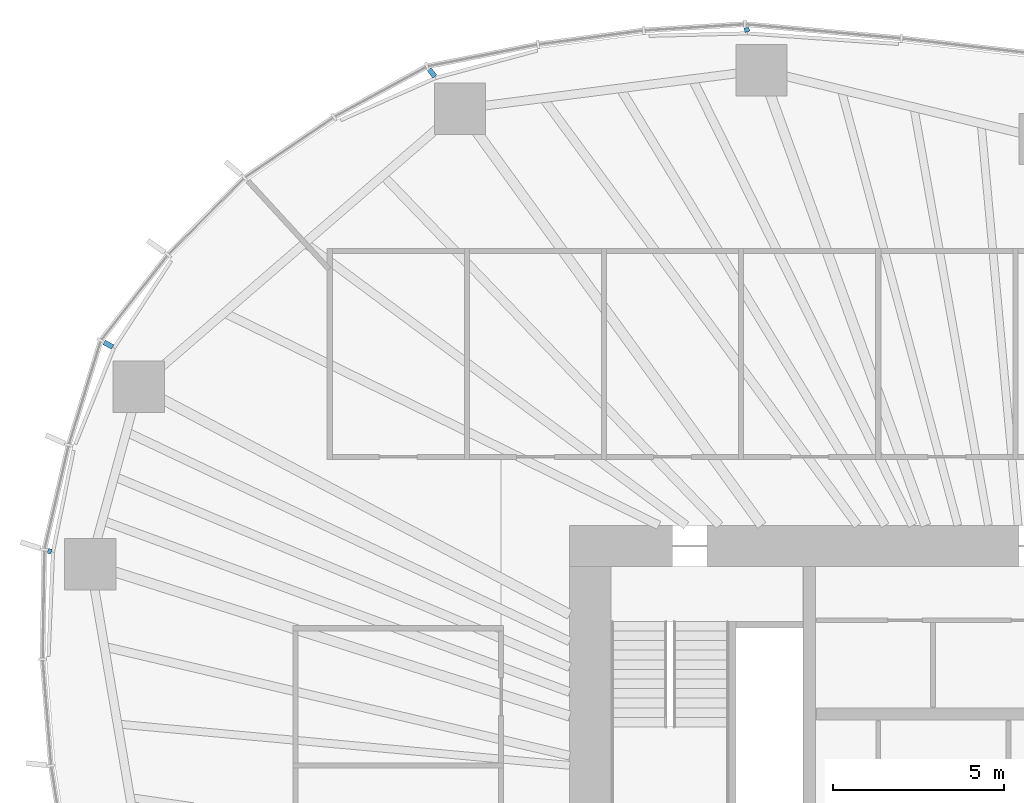
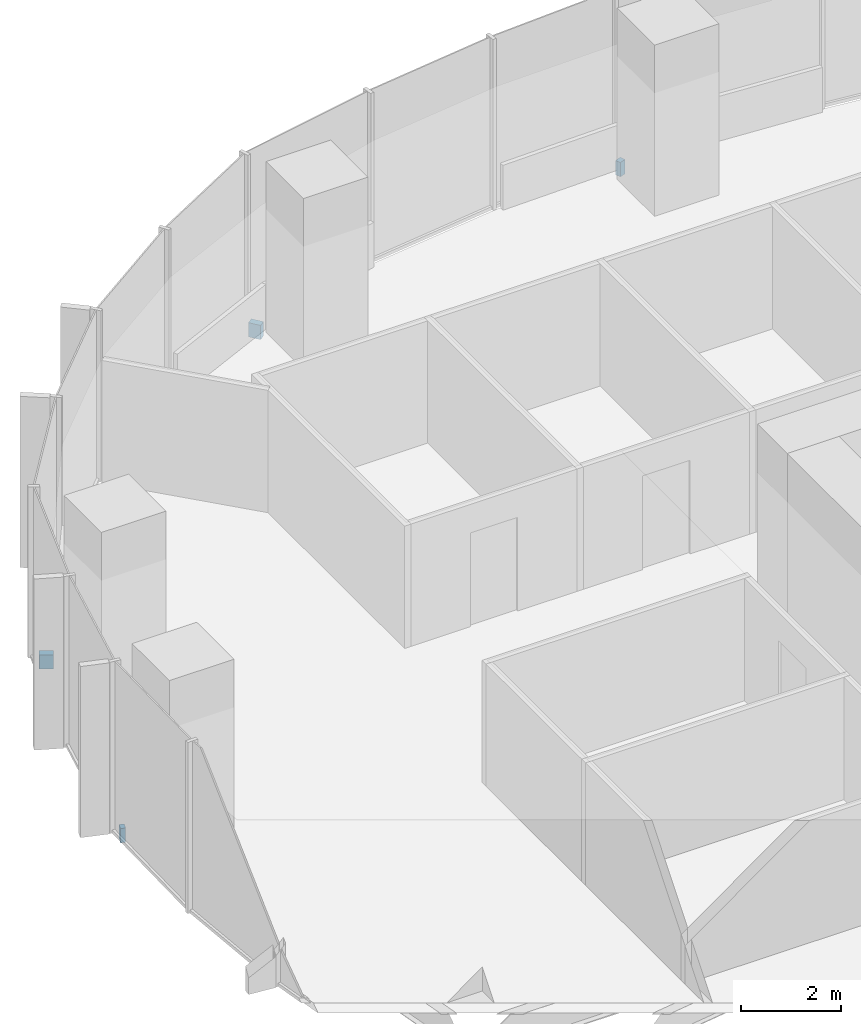
# One storey, part 15 of 18: 4 discrete accessories.
"""IFC4 building model written with IfcOpenShell, lengths in metres."""

from ifc_helpers import new_model, si_unit, direction, frame, origin, origin_2d, place, context, subcontext, project, spatial, rectangle, extrude, material, type_object, element, save


model = new_model("IFC4")

# Units and contexts
model_context = context("Model", 3, precision=1e-05, world=origin(), true_north=direction((0.0, 1.0)))
body_context = subcontext(model_context, "Body", "Model", "MODEL_VIEW")
ifc_project = project(units=[si_unit("LENGTHUNIT", "METRE"), si_unit("AREAUNIT", "SQUARE_METRE"), si_unit("VOLUMEUNIT", "CUBIC_METRE"), si_unit("PLANEANGLEUNIT", "RADIAN"), si_unit("MASSUNIT", "GRAM", prefix="KILO")], contexts=[model_context])

# Site, building, storey
site_placement = place(None, origin())
site = spatial("IfcSite", under=ifc_project, at=site_placement, CompositionType="ELEMENT")
building_placement = place(site_placement, origin())
building = spatial("IfcBuilding", under=site, at=building_placement, Name="Ghaith Harvest Tower", CompositionType="ELEMENT")
storey_placement = place(building_placement, frame((0.0, 0.0, 113.39990234375)))
storey = spatial("IfcBuildingStorey", under=building, at=storey_placement, Name="L23", CompositionType="ELEMENT", Elevation=113.39990234375)

# Discrete accessories
ifc_material_1 = material(Name="Stainless steel grade 1.4401", Category="steel")
discrete_accessory_type_1 = type_object("IfcDiscreteAccessoryType", Name="CURTAIN WALL BRACKET 105", PredefinedType="BRACKET", material=ifc_material_1)
discrete_accessory_1_placement = place(storey_placement, frame((-29.171875, 9.2451171875, -0.25), z_axis=(0.0, 0.0, 1.0), x_axis=(-0.953273219358, 0.302109531884, 0.0)))
element("IfcDiscreteAccessory", 1, at=discrete_accessory_1_placement, inside=storey, type_object=discrete_accessory_type_1, Name="CW-L bracket 1 bay 10 L23", PredefinedType="BRACKET", context=body_context, shape_type="SweptSolid", body=[
    extrude(rectangle(XDim=0.10498046875, YDim=0.14990234375, at=origin_2d()), origin(), (0.0, 0.0, 1.0), 0.35009765625),
])
ifc_material_2 = material(Name="Stainless steel grade 1.4401", Category="steel")
discrete_accessory_type_2 = type_object("IfcDiscreteAccessoryType", Name="CURTAIN WALL BRACKET 125", PredefinedType="BRACKET", material=ifc_material_2)
discrete_accessory_2_placement = place(storey_placement, frame((-8.833984375, 24.45849609375, -0.25), z_axis=(0.0, 0.0, 1.0), x_axis=(-0.339699453402, 0.94053404051, 0.0)))
element("IfcDiscreteAccessory", 2, at=discrete_accessory_2_placement, inside=storey, type_object=discrete_accessory_type_2, Name="CW-L bracket 1 bay 07 L23", PredefinedType="BRACKET", context=body_context, shape_type="SweptSolid", body=[
    extrude(rectangle(XDim=0.125, YDim=0.14990234375, at=origin_2d()), origin(), (0.0, 0.0, 1.0), 0.35009765625),
])
ifc_material_3 = material(Name="Stainless steel grade 1.4401", Category="steel")
discrete_accessory_type_3 = type_object("IfcDiscreteAccessoryType", Name="CURTAIN WALL BRACKET 265", PredefinedType="BRACKET", material=ifc_material_3)
discrete_accessory_3_placement = place(storey_placement, frame((-18.0166015625, 23.197998046875, -0.25), z_axis=(0.0, 0.0, 1.0), x_axis=(-0.613377714422, 0.78978970584, 0.0)))
element("IfcDiscreteAccessory", 3, at=discrete_accessory_3_placement, inside=storey, type_object=discrete_accessory_type_3, Name="CW-L bracket 1 bay 08 L23", PredefinedType="BRACKET", context=body_context, shape_type="SweptSolid", body=[
    extrude(rectangle(XDim=0.264892578125, YDim=0.14990234375, at=origin_2d()), origin(), (0.0, 0.0, 1.0), 0.35009765625),
])
ifc_material_4 = material(Name="Stainless steel grade 1.4401", Category="steel")
discrete_accessory_type_4 = type_object("IfcDiscreteAccessoryType", Name="CURTAIN WALL BRACKET 285", PredefinedType="BRACKET", material=ifc_material_4)
discrete_accessory_4_placement = place(storey_placement, frame((-27.45849609375, 15.271728515625, -0.25), z_axis=(0.0, 0.0, 1.0), x_axis=(-0.873926916005, 0.486057347935, 0.0)))
element("IfcDiscreteAccessory", 4, at=discrete_accessory_4_placement, inside=storey, type_object=discrete_accessory_type_4, Name="CW-L bracket 2 bay 09 L23", PredefinedType="BRACKET", context=body_context, shape_type="SweptSolid", body=[
    extrude(rectangle(XDim=0.284912109375, YDim=0.14990234375, at=origin_2d()), origin(), (0.0, 0.0, 1.0), 0.35009765625),
])

save(model, "model.ifc")
